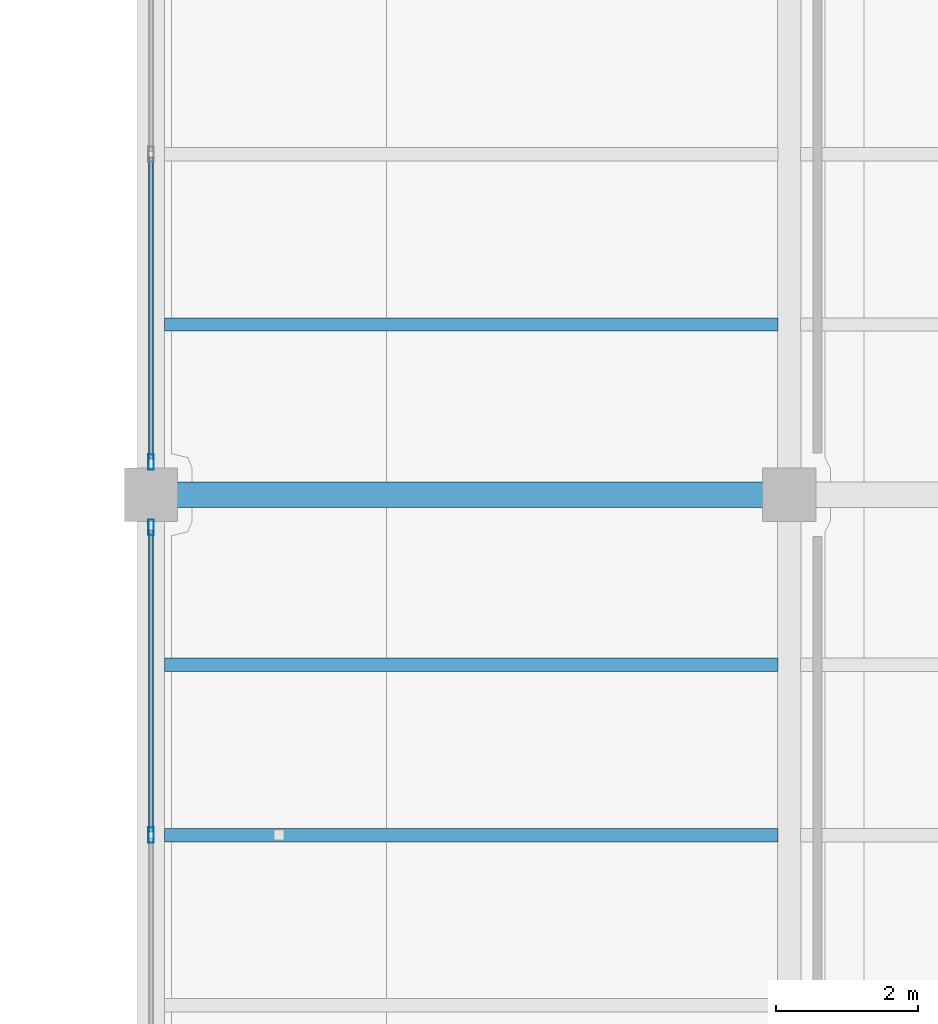
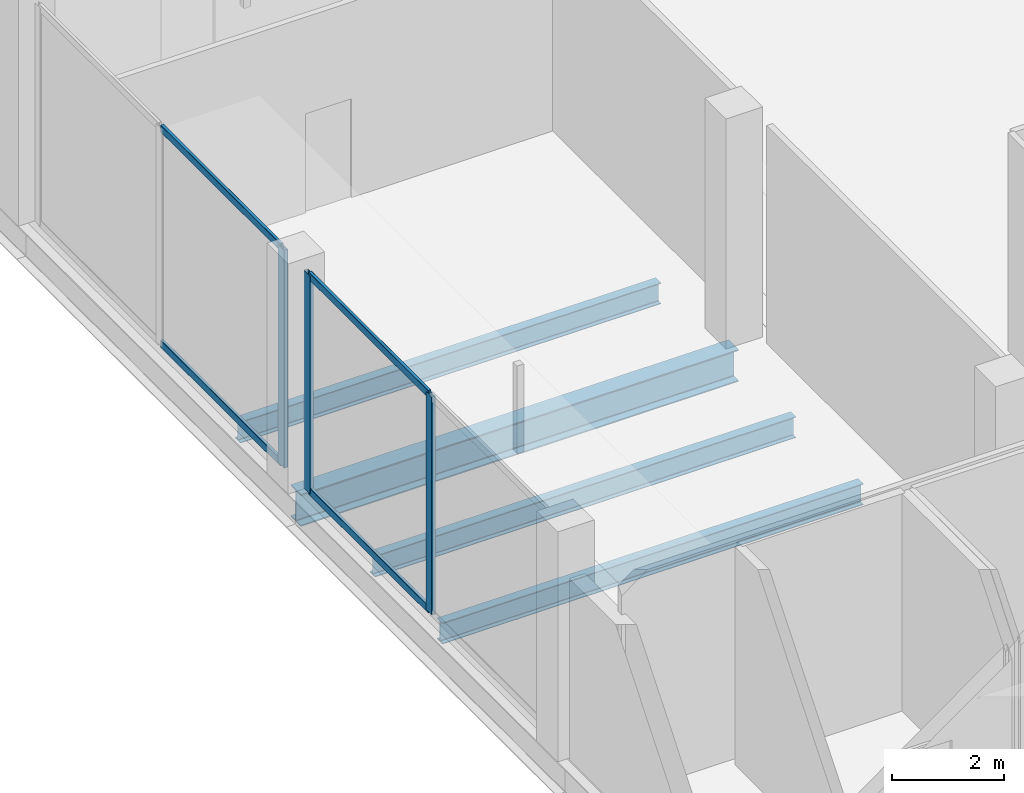
# One storey, part 5 of 47: 7 members, 4 beams, 2 elements without a shape of their own.
"""IFC4 building model written with IfcOpenShell, lengths in metres."""

from ifc_helpers import new_model, si_unit, direction, frame, origin, origin_2d, place, context, subcontext, project, spatial, hollow_rectangle, i_section, extrude, material, layer, layer_set, material_profile, profile_set, type_object, element, aggregate, save


model = new_model("IFC4")

# Units and contexts
model_context = context("Model", 3, precision=1e-05, world=origin(), true_north=direction((0.0, 1.0)))
body_context = subcontext(model_context, "Body", "Model", "MODEL_VIEW")
ifc_project = project(units=[si_unit("LENGTHUNIT", "METRE"), si_unit("AREAUNIT", "SQUARE_METRE"), si_unit("VOLUMEUNIT", "CUBIC_METRE"), si_unit("PLANEANGLEUNIT", "RADIAN"), si_unit("MASSUNIT", "GRAM", prefix="KILO")], contexts=[model_context])

# Site, building, storey
site_placement = place(None, origin())
site = spatial("IfcSite", under=ifc_project, at=site_placement, CompositionType="ELEMENT")
building_placement = place(site_placement, origin())
building = spatial("IfcBuilding", under=site, at=building_placement, Name="Qorvath Tower", CompositionType="ELEMENT")
storey_placement = place(building_placement, frame((0.0, 0.0, 12.0)))
storey = spatial("IfcBuildingStorey", under=building, at=storey_placement, Name="L02", CompositionType="ELEMENT", Elevation=12.0)

# Beams
ifc_material_1 = material(Name="Steel ASTM A992 Grade 50", Category="steel")
ifc_material_profile_1 = material_profile(ifc_material_1, i_section(OverallWidth=0.35595703125, OverallDepth=0.696044921875, WebThickness=0.015380859375, FlangeThickness=0.02490234375, FilletRadius=0.01806640625, at=origin_2d()), Name="W27x146")
ifc_profile_set_1 = profile_set([ifc_material_profile_1], Name="Steel ASTM A992 Grade 50")
beam_type_1 = type_object("IfcBeamType", Name="BM-FG4", PredefinedType="BEAM", material=ifc_profile_set_1)
beam_placement = place(storey_placement, frame((32.39990234375, -9.60009765625, -0.60791015625), z_axis=(1.0, 0.0, 0.0), x_axis=(0.0, 1.0, 0.0)))
element("IfcBeam", 1, at=beam_placement, inside=storey, type_object=beam_type_1, Name="Library E-W Girder L02-4-1", PredefinedType="BEAM", context=body_context, shape_type="SweptSolid", body=[
    extrude(i_section(OverallWidth=0.35595703125, OverallDepth=0.696044921875, WebThickness=0.015380859375, FlangeThickness=0.02490234375, FilletRadius=0.01806640625, at=origin_2d()), origin(), (0.0, 0.0, 1.0), 9.0),
])
ifc_material_2 = material(Name="Steel ASTM A992 Grade 50", Category="steel")
ifc_material_profile_2 = material_profile(ifc_material_2, i_section(OverallWidth=0.18994140625, OverallDepth=0.45703125, WebThickness=0.009033203125, FlangeThickness=0.014404296875, FilletRadius=0.011962890625, at=origin_2d()), Name="W18x50")
ifc_profile_set_2 = profile_set([ifc_material_profile_2], Name="Steel ASTM A992 Grade 50")
beam_type_2 = type_object("IfcBeamType", Name="BM-FJ2", PredefinedType="JOIST", material=ifc_profile_set_2)
for number, where, z_axis, x_axis, name in (
    (2, (32.58837890625, -14.39990234375, -0.488525390625), (1.0, 0.0, 0.0), (0.0, 1.0, 0.0), "Library Stack Joist L02-3.2-1"),
    (3, (32.58837890625, -12.0, -0.488525390625), (1.0, 0.0, 0.0), (0.0, 1.0, 0.0), "Library Stack Joist L02-3.3-1"),
    (4, (32.58837890625, -7.199951171875, -0.488525390625), (1.0, 0.0, 0.0), (0.0, 1.0, 0.0), "Library Stack Joist L02-4.1-1"),
):
    element("IfcBeam", number, at=place(storey_placement, frame(where, z_axis=z_axis, x_axis=x_axis)), inside=storey, type_object=beam_type_2, Name=name, PredefinedType="JOIST", context=body_context, shape_type="SweptSolid", body=[
        extrude(i_section(OverallWidth=0.18994140625, OverallDepth=0.45703125, WebThickness=0.009033203125, FlangeThickness=0.014404296875, FilletRadius=0.011962890625, at=origin_2d()), origin(), (0.0, 0.0, 1.0), 8.651123046875),
    ])

# Curtain wall, members
ifc_material_3 = material(Name="Anodised aluminium and triple low-E glass", Category="aluminium")
ifc_layer = layer(ifc_material_3, 0.179931640625)
ifc_layer_set = layer_set([ifc_layer], Name="CW-SYS-6")
curtain_wall_type = type_object("IfcCurtainWallType", Name="CW-SYS-6", PredefinedType="NOTDEFINED", material=ifc_layer_set)
curtain_wall_1_placement = place(storey_placement, origin())
curtain_wall_1 = element("IfcCurtainWall", 5, at=curtain_wall_1_placement, inside=storey, type_object=curtain_wall_type, Name="Curtain Wall CW-6 CW-LIB-W-L02-3", PredefinedType="NOTDEFINED")
ifc_material_4 = material(Name="Anodised aluminium 6063-T6", Category="aluminium")
ifc_material_profile_3 = material_profile(ifc_material_4, hollow_rectangle(XDim=0.080078125, YDim=0.219970703125, WallThickness=0.00439453125, InnerFilletRadius=0.00439453125, OuterFilletRadius=0.009033203125, at=origin_2d()), Name="CWM LIB 220x80")
ifc_profile_set_3 = profile_set([ifc_material_profile_3], Name="Anodised aluminium 6063-T6")
member_type_1 = type_object("IfcMemberType", Name="CWM-LIB", PredefinedType="MULLION", material=ifc_profile_set_3)
member_1_placement = place(storey_placement, frame((32.39990234375, -14.39990234375, 0.0), z_axis=(0.0, 0.0, 1.0), x_axis=(-1.0, 0.0, 0.0)))
member_1 = element("IfcMember", 6, at=member_1_placement, type_object=member_type_1, Name="CW-6 mullion 2", PredefinedType="MULLION", context=body_context, shape_type="SweptSolid", body=[
    extrude(hollow_rectangle(XDim=0.080078125, YDim=0.219970703125, WallThickness=0.00439453125, InnerFilletRadius=0.00439453125, OuterFilletRadius=0.009033203125, at=origin_2d()), origin(), (0.0, 0.0, 1.0), 4.739990234375),
])
member_2_placement = place(storey_placement, frame((32.39990234375, -10.06005859375, 0.0), z_axis=(0.0, 0.0, 1.0), x_axis=(-1.0, 0.0, 0.0)))
member_2 = element("IfcMember", 7, at=member_2_placement, type_object=member_type_1, Name="CW-6 mullion 3", PredefinedType="MULLION", context=body_context, shape_type="SweptSolid", body=[
    extrude(hollow_rectangle(XDim=0.080078125, YDim=0.219970703125, WallThickness=0.00439453125, InnerFilletRadius=0.00439453125, OuterFilletRadius=0.009033203125, at=origin_2d()), origin(), (0.0, 0.0, 1.0), 4.739990234375),
])

# Curtain wall, member
curtain_wall_2_placement = place(storey_placement, origin())
curtain_wall_2 = element("IfcCurtainWall", 8, at=curtain_wall_2_placement, inside=storey, type_object=curtain_wall_type, Name="Curtain Wall CW-6 CW-LIB-W-L02-4", PredefinedType="NOTDEFINED")
member_3_placement = place(storey_placement, frame((32.39990234375, -9.139892578125, 0.0), z_axis=(0.0, 0.0, 1.0), x_axis=(-1.0, 0.0, 0.0)))
member_3 = element("IfcMember", 9, at=member_3_placement, type_object=member_type_1, Name="CW-6 mullion 1", PredefinedType="MULLION", context=body_context, shape_type="SweptSolid", body=[
    extrude(hollow_rectangle(XDim=0.080078125, YDim=0.219970703125, WallThickness=0.00439453125, InnerFilletRadius=0.00439453125, OuterFilletRadius=0.009033203125, at=origin_2d()), origin(), (0.0, 0.0, 1.0), 4.739990234375),
])

# Member
ifc_material_5 = material(Name="Anodised aluminium 6063-T6", Category="aluminium")
ifc_material_profile_4 = material_profile(ifc_material_5, hollow_rectangle(XDim=0.06494140625, YDim=0.159912109375, WallThickness=0.00341796875, InnerFilletRadius=0.00341796875, OuterFilletRadius=0.007080078125, at=origin_2d()), Name="CWT 160x65")
ifc_profile_set_4 = profile_set([ifc_material_profile_4], Name="Anodised aluminium 6063-T6")
member_type_2 = type_object("IfcMemberType", Name="CWT-160", PredefinedType="USERDEFINED", material=ifc_profile_set_4)
member_4_placement = place(storey_placement, frame((32.39990234375, -14.360107421875, 0.032470703125), z_axis=(0.0, 1.0, 0.0), x_axis=(-1.0, 0.0, 0.0)))
member_4 = element("IfcMember", 10, at=member_4_placement, type_object=member_type_2, Name="CW-6 transom 2.1", ObjectType="TRANSOM", PredefinedType="USERDEFINED", context=body_context, shape_type="SweptSolid", body=[
    extrude(hollow_rectangle(XDim=0.06494140625, YDim=0.159912109375, WallThickness=0.00341796875, InnerFilletRadius=0.00341796875, OuterFilletRadius=0.007080078125, at=origin_2d()), origin(), (0.0, 0.0, 1.0), 4.260009765625),
])

member_5_placement = place(storey_placement, frame((32.39990234375, -14.360107421875, 4.70751953125), z_axis=(0.0, 1.0, 0.0), x_axis=(-1.0, 0.0, 0.0)))
member_5 = element("IfcMember", 11, at=member_5_placement, type_object=member_type_2, Name="CW-6 transom 2.2", ObjectType="TRANSOM", PredefinedType="USERDEFINED", context=body_context, shape_type="SweptSolid", body=[
    extrude(hollow_rectangle(XDim=0.06494140625, YDim=0.159912109375, WallThickness=0.00341796875, InnerFilletRadius=0.00341796875, OuterFilletRadius=0.007080078125, at=origin_2d()), origin(), (0.0, 0.0, 1.0), 4.260009765625),
])

aggregate(curtain_wall_1, [member_1, member_2, member_4, member_5])

member_6_placement = place(storey_placement, frame((32.39990234375, -9.099853515625, 0.032470703125), z_axis=(0.0, 1.0, 0.0), x_axis=(-1.0, 0.0, 0.0)))
member_6 = element("IfcMember", 12, at=member_6_placement, type_object=member_type_2, Name="CW-6 transom 1.1", ObjectType="TRANSOM", PredefinedType="USERDEFINED", context=body_context, shape_type="SweptSolid", body=[
    extrude(hollow_rectangle(XDim=0.06494140625, YDim=0.159912109375, WallThickness=0.00341796875, InnerFilletRadius=0.00341796875, OuterFilletRadius=0.007080078125, at=origin_2d()), origin(), (0.0, 0.0, 1.0), 4.260009765625),
])

member_7_placement = place(storey_placement, frame((32.39990234375, -9.099853515625, 4.70751953125), z_axis=(0.0, 1.0, 0.0), x_axis=(-1.0, 0.0, 0.0)))
member_7 = element("IfcMember", 13, at=member_7_placement, type_object=member_type_2, Name="CW-6 transom 1.2", ObjectType="TRANSOM", PredefinedType="USERDEFINED", context=body_context, shape_type="SweptSolid", body=[
    extrude(hollow_rectangle(XDim=0.06494140625, YDim=0.159912109375, WallThickness=0.00341796875, InnerFilletRadius=0.00341796875, OuterFilletRadius=0.007080078125, at=origin_2d()), origin(), (0.0, 0.0, 1.0), 4.260009765625),
])

aggregate(curtain_wall_2, [member_3, member_6, member_7])

save(model, "model.ifc")
